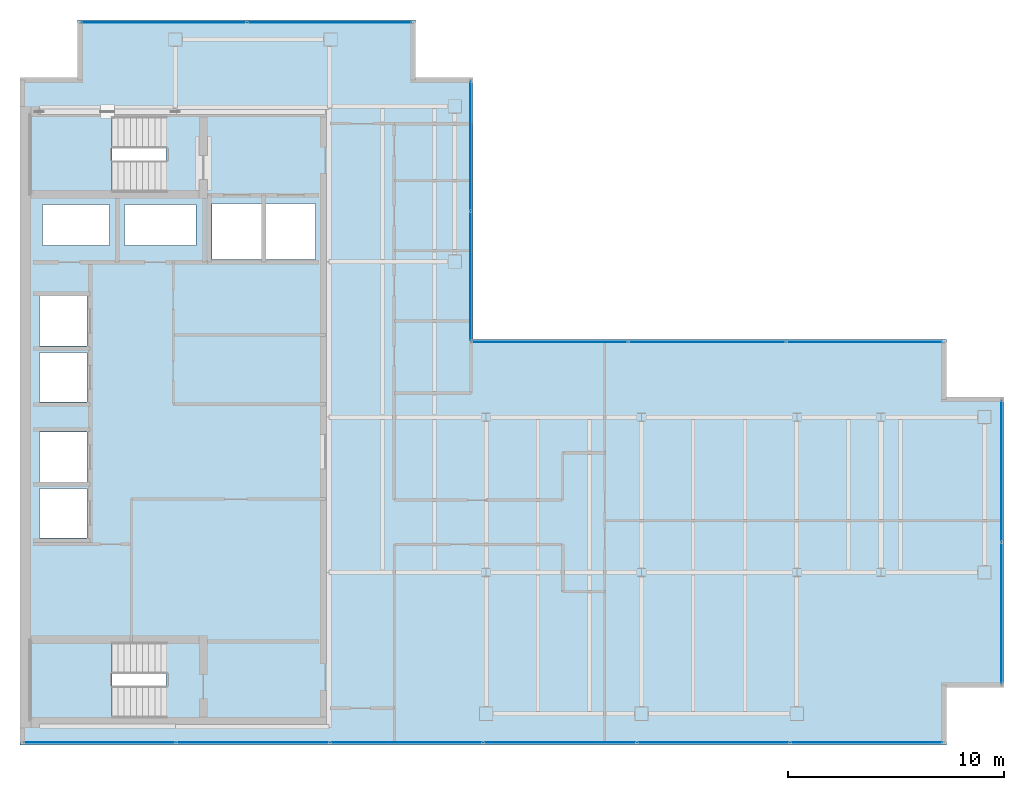
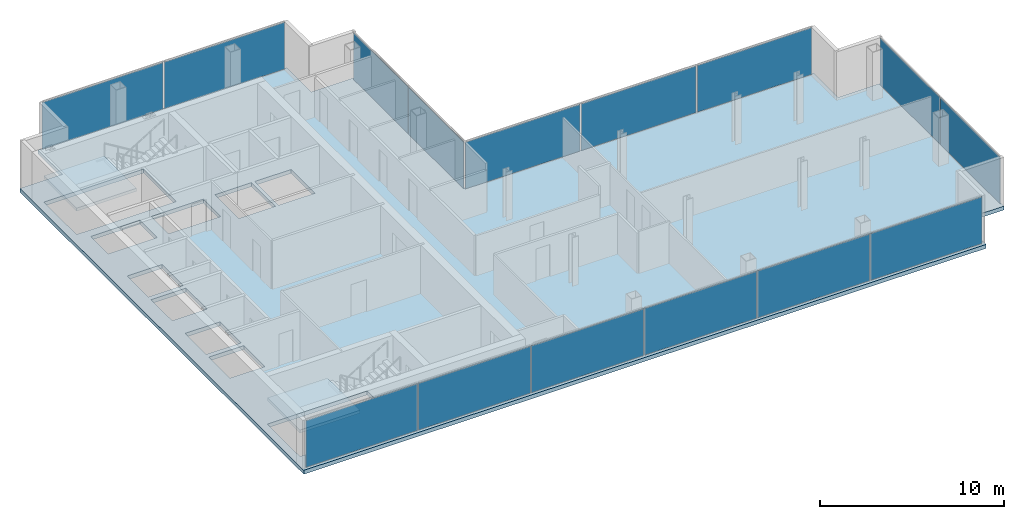
# One storey, part 19 of 23: 15 plates, 3 slabs, 10 openings, 7 elements without a shape of their own.
"""IFC4 building model written with IfcOpenShell, lengths in metres."""

import ifcopenshell
import ifcopenshell.guid

model = None  # the IFC model being written
_history = None  # IfcOwnerHistory: only IFC2X3 demands one
_inside = {}  # id of a spatial element -> (the spatial element, [elements in it])
_under = {}  # id of a project, library or spatial element -> (it, [spatial elements below it])
_declared = {}  # id of a project -> (the project, [libraries it declares])
_typed = {}  # id of a type object -> (the type object, [elements of that type])
_made_of = {}  # id of a material, layer set ... -> (it, [elements and type objects made of it])


def new_model(schema):
    """Start an empty IFC model of exactly this schema.

    Asked for "IFC4X3", IfcOpenShell would pick the latest addendum, in which some entities
    have other attributes; the version numbers below select the first issue.
    IFC2X3 requires an IfcOwnerHistory on every rooted entity: one is made here for all.
    """
    global model, _history
    if schema == "IFC4X3":
        model = ifcopenshell.file(schema_version=(4, 3, 0, 0))
    else:
        model = ifcopenshell.file(schema=schema)
    _inside.clear()
    _under.clear()
    _declared.clear()
    _typed.clear()
    _made_of.clear()
    _history = None
    if model.schema == "IFC2X3":
        org = make("IfcOrganization", Name="unknown")
        user = make(
            "IfcPersonAndOrganization",
            ThePerson=make("IfcPerson", FamilyName="unknown"),
            TheOrganization=org,
        )
        app = make(
            "IfcApplication",
            ApplicationDeveloper=org,
            Version="unknown",
            ApplicationFullName="unknown",
            ApplicationIdentifier="unknown",
        )
        _history = make(
            "IfcOwnerHistory",
            OwningUser=user,
            OwningApplication=app,
            ChangeAction="ADDED",
            CreationDate=0,
        )
    return model


def make(cls, **values):
    """One entity of the class cls with the attributes given. An attribute that is None is left unset."""
    return model.create_entity(
        cls, **{name: value for name, value in values.items() if value is not None}
    )


def rooted(cls, **values):
    """An entity with a GlobalId (a new one), such as an element, a storey or a relation."""
    return make(cls, GlobalId=ifcopenshell.guid.new(), OwnerHistory=_history, **values)


def si_unit(unit_type, name, prefix=None):
    """IfcSIUnit, for example si_unit("LENGTHUNIT", "METRE", prefix="MILLI")."""
    return make("IfcSIUnit", UnitType=unit_type, Prefix=prefix, Name=name)


def assignment(units):
    """IfcUnitAssignment: the units of a project."""
    return None if units is None else make("IfcUnitAssignment", Units=units)


def point(xyz):
    """IfcCartesianPoint."""
    return None if xyz is None else make("IfcCartesianPoint", Coordinates=xyz)


def direction(xyz):
    """IfcDirection."""
    return None if xyz is None else make("IfcDirection", DirectionRatios=xyz)


def frame(location, z_axis=None, x_axis=None):
    """IfcAxis2Placement3D, a coordinate frame: its origin and axes. An axis left out is left unset."""
    return make(
        "IfcAxis2Placement3D",
        Location=point(location),
        Axis=direction(z_axis),
        RefDirection=direction(x_axis),
    )


def frame_2d(location, x_axis=None):
    """IfcAxis2Placement2D, a coordinate frame in the plane: its origin and x axis."""
    return make(
        "IfcAxis2Placement2D", Location=point(location), RefDirection=direction(x_axis)
    )


def origin():
    """The frame at (0, 0, 0) with its axes left unset."""
    return frame((0.0, 0.0, 0.0))


def origin_2d():
    """The frame at (0, 0) in the plane with its x axis left unset."""
    return frame_2d((0.0, 0.0))


def place(relative_to, where):
    """IfcLocalPlacement: puts the frame where relative to a parent placement (None: the world)."""
    return make(
        "IfcLocalPlacement", PlacementRelTo=relative_to, RelativePlacement=where
    )


def context(
    kind, dimensions, precision=None, world=None, true_north=None, identifier=None
):
    """IfcGeometricRepresentationContext, for example the 3D "Model" context."""
    return make(
        "IfcGeometricRepresentationContext",
        ContextIdentifier=identifier,
        ContextType=kind,
        CoordinateSpaceDimension=dimensions,
        Precision=precision,
        WorldCoordinateSystem=world,
        TrueNorth=true_north,
    )


def subcontext(parent, identifier, kind, view, scale=None):
    """IfcGeometricRepresentationSubContext, for example "Body" below "Model"."""
    return make(
        "IfcGeometricRepresentationSubContext",
        ContextIdentifier=identifier,
        ContextType=kind,
        ParentContext=parent,
        TargetScale=scale,
        TargetView=view,
    )


def project(units=None, contexts=None):
    """IfcProject with its units and contexts."""
    return rooted(
        "IfcProject",
        Name="project",
        RepresentationContexts=contexts,
        UnitsInContext=assignment(units),
    )


def spatial(cls, under=None, at=None, **own):
    """A site, building, storey or space (cls), placed at a placement, below another one or the project."""
    s = rooted(cls, ObjectPlacement=at, **own)
    if under is not None:
        _under.setdefault(under.id(), (under, []))[1].append(s)
    return s


def polyline(points):
    """IfcPolyline through the points."""
    return make("IfcPolyline", Points=[point(p) for p in points])


def profile(cls, at=None, kind="AREA", **sizes):
    """A parametric profile (cls). Its sizes go by their IFC names, for example OverallWidth=200.0."""
    return make(cls, ProfileType=kind, Position=at, **sizes)


def rectangle(**sizes):
    """IfcRectangleProfileDef."""
    return profile("IfcRectangleProfileDef", **sizes)


def outline(outer, holes=None, kind="AREA"):
    """IfcArbitraryClosedProfileDef: a profile drawn as a closed curve; with holes, ...WithVoids."""
    if holes is None:
        return make("IfcArbitraryClosedProfileDef", ProfileType=kind, OuterCurve=outer)
    return make(
        "IfcArbitraryProfileDefWithVoids",
        ProfileType=kind,
        OuterCurve=outer,
        InnerCurves=holes,
    )


def extrude(swept, where, along, depth):
    """IfcExtrudedAreaSolid: the profile swept, set in the frame where, extruded along a direction by depth."""
    return make(
        "IfcExtrudedAreaSolid",
        SweptArea=swept,
        Position=where,
        ExtrudedDirection=direction(along),
        Depth=depth,
    )


def shape(context_of_items, identifier, shape_type, items):
    """IfcShapeRepresentation: the items that make up one representation, for example the "Body"."""
    return make(
        "IfcShapeRepresentation",
        ContextOfItems=context_of_items,
        RepresentationIdentifier=identifier,
        RepresentationType=shape_type,
        Items=items,
    )


def material(Name=None, Category=None):
    """IfcMaterial."""
    return make("IfcMaterial", Name=Name, Category=Category)


def layer(
    of_material, thickness, ventilated=None, Name=None, Category=None, Priority=None
):
    """IfcMaterialLayer: one layer of a wall or slab, of a material (None: an air gap)."""
    return make(
        "IfcMaterialLayer",
        Material=of_material,
        LayerThickness=thickness,
        IsVentilated=ventilated,
        Name=Name,
        Category=Category,
        Priority=Priority,
    )


def layer_set(layers, Name=None):
    """IfcMaterialLayerSet."""
    return make("IfcMaterialLayerSet", MaterialLayers=layers, LayerSetName=Name)


def made_of(thing, what):
    """Note that an element or type object is made of a material, layer set ...; save() writes the relation."""
    if what is not None:
        _made_of.setdefault(what.id(), (what, []))[1].append(thing)
    return thing


def type_object(cls, material=None, **own):
    """A type object (cls), such as IfcWallType, which elements share."""
    return made_of(rooted(cls, **own), material)


def element(
    cls,
    number,
    at=None,
    inside=None,
    cuts=None,
    type_object=None,
    material=None,
    context=None,
    identifier="Body",
    shape_type=None,
    held_by="IfcProductDefinitionShape",
    body=None,
    shapes=None,
    **own,
):
    """One element of the class cls, such as IfcWall. Its Tag is "e" and its number.

    at: its placement. inside: the storey or other place that contains it. cuts: it is an
    opening in that element (IfcRelVoidsElement). A single representation is given by context,
    identifier, shape_type and body (its items); several are given by shapes. held_by: the class
    of the entity that holds the representations. save() writes the other relations.
    """
    e = rooted(cls, Tag="e%d" % number, ObjectPlacement=at, **own)
    if body is not None:
        shapes = [shape(context, identifier, shape_type, body)]
    if shapes is not None:
        e.Representation = make(held_by, Representations=shapes)
    if inside is not None:
        _inside.setdefault(inside.id(), (inside, []))[1].append(e)
    if cuts is not None:
        rooted(
            "IfcRelVoidsElement", RelatingBuildingElement=cuts, RelatedOpeningElement=e
        )
    if type_object is not None:
        _typed.setdefault(type_object.id(), (type_object, []))[1].append(e)
    return made_of(e, material)


def aggregate(whole, parts):
    """IfcRelAggregates: a whole, such as a stair, and the parts it consists of."""
    return rooted("IfcRelAggregates", RelatingObject=whole, RelatedObjects=parts)


def save(model, path):
    """Write the relations noted so far, then the file.

    IfcRelAggregates (storeys below a building ...), IfcRelContainedInSpatialStructure (elements
    in a storey), IfcRelDefinesByType, IfcRelAssociatesMaterial and IfcRelDeclares: one each for
    every whole, place, type object, material and project.
    """
    for whole, parts in _under.values():
        aggregate(whole, parts)
    for where, things in _inside.values():
        rooted(
            "IfcRelContainedInSpatialStructure",
            RelatedElements=things,
            RelatingStructure=where,
        )
    for kind, things in _typed.values():
        rooted("IfcRelDefinesByType", RelatedObjects=things, RelatingType=kind)
    for what, things in _made_of.values():
        rooted("IfcRelAssociatesMaterial", RelatedObjects=things, RelatingMaterial=what)
    for by, libraries in _declared.values():
        rooted("IfcRelDeclares", RelatingContext=by, RelatedDefinitions=libraries)
    model.write(path)


model = new_model("IFC4")

# Units and contexts
model_context = context("Model", 3, precision=1e-05, world=origin(), true_north=direction((0.0, 1.0)))
body_context = subcontext(model_context, "Body", "Model", "MODEL_VIEW")
ifc_project = project(units=[si_unit("LENGTHUNIT", "METRE"), si_unit("AREAUNIT", "SQUARE_METRE"), si_unit("VOLUMEUNIT", "CUBIC_METRE"), si_unit("PLANEANGLEUNIT", "RADIAN"), si_unit("MASSUNIT", "GRAM", prefix="KILO")], contexts=[model_context])

# Site, building, storey
site_placement = place(None, origin())
site = spatial("IfcSite", under=ifc_project, at=site_placement, CompositionType="ELEMENT")
building_placement = place(site_placement, origin())
building = spatial("IfcBuilding", under=site, at=building_placement, Name="Cobrela Telecom Tower", CompositionType="ELEMENT")
storey_placement = place(building_placement, frame((0.0, 0.0, 283.14990234375)))
storey = spatial("IfcBuildingStorey", under=building, at=storey_placement, Name="L74", CompositionType="ELEMENT", Elevation=283.14990234375)

# Curtain wall, plates
ifc_material_1 = material(Name="Anodized Bronze Aluminium 6063-T6", Category="aluminium")
curtain_wall_type = type_object("IfcCurtainWallType", Name="CW-SYS-OFF-HI", PredefinedType="USERDEFINED", material=ifc_material_1)
curtain_wall_1_placement = place(storey_placement, origin())
curtain_wall_1 = element("IfcCurtainWall", 1, at=curtain_wall_1_placement, inside=storey, type_object=curtain_wall_type, Name="L74 Unitised Bronze Curtain Wall 05", ObjectType="UNITISED CURTAIN WALL", PredefinedType="USERDEFINED")
ifc_material_2 = material(Name="Solar-Control Bronze Low-E Glass", Category="glass")
ifc_layer_1 = layer(ifc_material_2, 0.030029296875)
ifc_layer_set_1 = layer_set([ifc_layer_1], Name="Solar-Control Bronze Low-E Glass")
plate_type = type_object("IfcPlateType", Name="CW-SYS-OFF-HI-PNL", PredefinedType="CURTAIN_PANEL", material=ifc_layer_set_1)
plate_1_placement = place(storey_placement, frame((6.66259765625, 39.8798828125, 0.06494140625), z_axis=(0.0, 0.0, 1.0), x_axis=(1.0, 0.0, 0.0)))
plate_1 = element("IfcPlate", 2, at=plate_1_placement, type_object=plate_type, Name="CW-OFF-HI panel 1.1", PredefinedType="CURTAIN_PANEL", context=body_context, shape_type="SweptSolid", body=[
    extrude(rectangle(XDim=7.60498046875, YDim=0.030029296875, at=origin_2d()), origin(), (0.0, 0.0, 1.0), 3.110107421875),
])
plate_2_placement = place(storey_placement, frame((14.33740234375, 39.8798828125, 0.06494140625), z_axis=(0.0, 0.0, 1.0), x_axis=(1.0, 0.0, 0.0)))
plate_2 = element("IfcPlate", 3, at=plate_2_placement, type_object=plate_type, Name="CW-OFF-HI panel 2.1", PredefinedType="CURTAIN_PANEL", context=body_context, shape_type="SweptSolid", body=[
    extrude(rectangle(XDim=7.60498046875, YDim=0.030029296875, at=origin_2d()), origin(), (0.0, 0.0, 1.0), 3.110107421875),
])
aggregate(curtain_wall_1, [plate_1, plate_2])

curtain_wall_2_placement = place(storey_placement, origin())
curtain_wall_2 = element("IfcCurtainWall", 4, at=curtain_wall_2_placement, inside=storey, type_object=curtain_wall_type, Name="L74 Unitised Bronze Curtain Wall 08", ObjectType="UNITISED CURTAIN WALL", PredefinedType="USERDEFINED")
plate_3_placement = place(storey_placement, frame((20.8798828125, 34.159912109375, 0.06494140625), z_axis=(0.0, 0.0, 1.0), x_axis=(0.0, -1.0, 0.0)))
plate_3 = element("IfcPlate", 5, at=plate_3_placement, type_object=plate_type, Name="CW-OFF-HI panel 1.1", PredefinedType="CURTAIN_PANEL", context=body_context, shape_type="SweptSolid", body=[
    extrude(rectangle(XDim=5.9599609375, YDim=0.030029296875, at=origin_2d()), origin(), (0.0, 0.0, 1.0), 3.110107421875),
])
plate_4_placement = place(storey_placement, frame((20.8798828125, 28.1298828125, 0.06494140625), z_axis=(0.0, 0.0, 1.0), x_axis=(0.0, -1.0, 0.0)))
plate_4 = element("IfcPlate", 6, at=plate_4_placement, type_object=plate_type, Name="CW-OFF-HI panel 2.1", PredefinedType="CURTAIN_PANEL", context=body_context, shape_type="SweptSolid", body=[
    extrude(rectangle(XDim=5.9599609375, YDim=0.030029296875, at=origin_2d()), origin(), (0.0, 0.0, 1.0), 3.110107421875),
])
aggregate(curtain_wall_2, [plate_3, plate_4])

curtain_wall_3_placement = place(storey_placement, origin())
curtain_wall_3 = element("IfcCurtainWall", 7, at=curtain_wall_3_placement, inside=storey, type_object=curtain_wall_type, Name="L74 Unitised Bronze Curtain Wall 09", ObjectType="UNITISED CURTAIN WALL", PredefinedType="USERDEFINED")
plate_5_placement = place(storey_placement, frame((24.552490234375, 25.080078125, 0.06494140625), z_axis=(0.0, 0.0, 1.0), x_axis=(1.0, 0.0, 0.0)))
plate_5 = element("IfcPlate", 8, at=plate_5_placement, type_object=plate_type, Name="CW-OFF-HI panel 1.1", PredefinedType="CURTAIN_PANEL", context=body_context, shape_type="SweptSolid", body=[
    extrude(rectangle(XDim=7.205078125, YDim=0.030029296875, at=origin_2d()), origin(), (0.0, 0.0, 1.0), 3.110107421875),
])
plate_6_placement = place(storey_placement, frame((31.844970703125, 25.080078125, 0.06494140625), z_axis=(0.0, 0.0, 1.0), x_axis=(1.0, 0.0, 0.0)))
plate_6 = element("IfcPlate", 9, at=plate_6_placement, type_object=plate_type, Name="CW-OFF-HI panel 2.1", PredefinedType="CURTAIN_PANEL", context=body_context, shape_type="SweptSolid", body=[
    extrude(rectangle(XDim=7.239990234375, YDim=0.030029296875, at=origin_2d()), origin(), (0.0, 0.0, 1.0), 3.110107421875),
])
plate_7_placement = place(storey_placement, frame((39.137451171875, 25.080078125, 0.06494140625), z_axis=(0.0, 0.0, 1.0), x_axis=(1.0, 0.0, 0.0)))
plate_7 = element("IfcPlate", 10, at=plate_7_placement, type_object=plate_type, Name="CW-OFF-HI panel 3.1", PredefinedType="CURTAIN_PANEL", context=body_context, shape_type="SweptSolid", body=[
    extrude(rectangle(XDim=7.205078125, YDim=0.030029296875, at=origin_2d()), origin(), (0.0, 0.0, 1.0), 3.110107421875),
])
aggregate(curtain_wall_3, [plate_5, plate_6, plate_7])

curtain_wall_4_placement = place(storey_placement, origin())
curtain_wall_4 = element("IfcCurtainWall", 11, at=curtain_wall_4_placement, inside=storey, type_object=curtain_wall_type, Name="L74 Unitised Bronze Curtain Wall 12", ObjectType="UNITISED CURTAIN WALL", PredefinedType="USERDEFINED")
plate_8_placement = place(storey_placement, frame((45.47998046875, 19.08740234375, 0.06494140625), z_axis=(0.0, 0.0, 1.0), x_axis=(0.0, -1.0, 0.0)))
plate_8 = element("IfcPlate", 12, at=plate_8_placement, type_object=plate_type, Name="CW-OFF-HI panel 1.1", PredefinedType="CURTAIN_PANEL", context=body_context, shape_type="SweptSolid", body=[
    extrude(rectangle(XDim=6.5048828125, YDim=0.030029296875, at=origin_2d()), origin(), (0.0, 0.0, 1.0), 3.110107421875),
])
plate_9_placement = place(storey_placement, frame((45.47998046875, 12.512451171875, 0.06494140625), z_axis=(0.0, 0.0, 1.0), x_axis=(0.0, -1.0, 0.0)))
plate_9 = element("IfcPlate", 13, at=plate_9_placement, type_object=plate_type, Name="CW-OFF-HI panel 2.1", PredefinedType="CURTAIN_PANEL", context=body_context, shape_type="SweptSolid", body=[
    extrude(rectangle(XDim=6.5048828125, YDim=0.030029296875, at=origin_2d()), origin(), (0.0, 0.0, 1.0), 3.110107421875),
])
aggregate(curtain_wall_4, [plate_8, plate_9])

curtain_wall_5_placement = place(storey_placement, origin())
curtain_wall_5 = element("IfcCurtainWall", 14, at=curtain_wall_5_placement, inside=storey, type_object=curtain_wall_type, Name="L74 Unitised Bronze Curtain Wall 15", ObjectType="UNITISED CURTAIN WALL", PredefinedType="USERDEFINED")
plate_10_placement = place(storey_placement, frame((39.235107421875, 6.52001953125, 0.06494140625), z_axis=(0.0, 0.0, 1.0), x_axis=(-1.0, 0.0, 0.0)))
plate_10 = element("IfcPlate", 15, at=plate_10_placement, type_object=plate_type, Name="CW-OFF-HI panel 1.1", PredefinedType="CURTAIN_PANEL", context=body_context, shape_type="SweptSolid", body=[
    extrude(rectangle(XDim=7.010009765625, YDim=0.030029296875, at=origin_2d()), origin(), (0.0, 0.0, 1.0), 3.110107421875),
])
plate_11_placement = place(storey_placement, frame((32.137451171875, 6.52001953125, 0.06494140625), z_axis=(0.0, 0.0, 1.0), x_axis=(-1.0, 0.0, 0.0)))
plate_11 = element("IfcPlate", 16, at=plate_11_placement, type_object=plate_type, Name="CW-OFF-HI panel 2.1", PredefinedType="CURTAIN_PANEL", context=body_context, shape_type="SweptSolid", body=[
    extrude(rectangle(XDim=7.044921875, YDim=0.030029296875, at=origin_2d()), origin(), (0.0, 0.0, 1.0), 3.110107421875),
])
plate_12_placement = place(storey_placement, frame((25.0224609375, 6.52001953125, 0.06494140625), z_axis=(0.0, 0.0, 1.0), x_axis=(-1.0, 0.0, 0.0)))
plate_12 = element("IfcPlate", 17, at=plate_12_placement, type_object=plate_type, Name="CW-OFF-HI panel 3.1", PredefinedType="CURTAIN_PANEL", context=body_context, shape_type="SweptSolid", body=[
    extrude(rectangle(XDim=7.044921875, YDim=0.030029296875, at=origin_2d()), origin(), (0.0, 0.0, 1.0), 3.110107421875),
])
plate_13_placement = place(storey_placement, frame((17.907470703125, 6.52001953125, 0.06494140625), z_axis=(0.0, 0.0, 1.0), x_axis=(-1.0, 0.0, 0.0)))
plate_13 = element("IfcPlate", 18, at=plate_13_placement, type_object=plate_type, Name="CW-OFF-HI panel 4.1", PredefinedType="CURTAIN_PANEL", context=body_context, shape_type="SweptSolid", body=[
    extrude(rectangle(XDim=7.044921875, YDim=0.030029296875, at=origin_2d()), origin(), (0.0, 0.0, 1.0), 3.110107421875),
])
plate_14_placement = place(storey_placement, frame((10.79248046875, 6.52001953125, 0.06494140625), z_axis=(0.0, 0.0, 1.0), x_axis=(-1.0, 0.0, 0.0)))
plate_14 = element("IfcPlate", 19, at=plate_14_placement, type_object=plate_type, Name="CW-OFF-HI panel 5.1", PredefinedType="CURTAIN_PANEL", context=body_context, shape_type="SweptSolid", body=[
    extrude(rectangle(XDim=7.044921875, YDim=0.030029296875, at=origin_2d()), origin(), (0.0, 0.0, 1.0), 3.110107421875),
])
plate_15_placement = place(storey_placement, frame((3.695068359375, 6.52001953125, 0.06494140625), z_axis=(0.0, 0.0, 1.0), x_axis=(-1.0, 0.0, 0.0)))
plate_15 = element("IfcPlate", 20, at=plate_15_placement, type_object=plate_type, Name="CW-OFF-HI panel 6.1", PredefinedType="CURTAIN_PANEL", context=body_context, shape_type="SweptSolid", body=[
    extrude(rectangle(XDim=7.010009765625, YDim=0.030029296875, at=origin_2d()), origin(), (0.0, 0.0, 1.0), 3.110107421875),
])
aggregate(curtain_wall_5, [plate_10, plate_11, plate_12, plate_13, plate_14, plate_15])

# Slab, openings
ifc_material_3 = material(Name="Concrete C40/50", Category="concrete")
ifc_layer_2 = layer(ifc_material_3, 0.260009765625)
ifc_layer_set_2 = layer_set([ifc_layer_2], Name="Concrete C40/50")
slab_type_1 = type_object("IfcSlabType", Name="SLAB-FLR-260", PredefinedType="FLOOR", material=ifc_layer_set_2)
slab_1_placement = place(storey_placement, frame((0.0, 0.0, -0.260009765625)))
slab_1 = element("IfcSlab", 21, at=slab_1_placement, inside=storey, type_object=slab_type_1, Name="L74 Structural Floor Slab", PredefinedType="FLOOR", context=body_context, shape_type="SweptSolid", body=[
    extrude(outline(polyline([(0.0, 6.39990234375), (42.929931640625, 6.39990234375), (42.929931640625, 9.070068359375), (45.60009765625, 9.070068359375), (45.60009765625, 22.530029296875), (42.929931640625, 22.530029296875), (42.929931640625, 25.199951171875), (21.0, 25.199951171875), (21.0, 37.330078125), (18.330078125, 37.330078125), (18.330078125, 40.0), (2.669921875, 40.0), (2.669921875, 37.330078125), (0.0, 37.330078125), (0.0, 6.39990234375)])), origin(), (0.0, 0.0, 1.0), 0.260009765625),
])
opening_1_placement = place(slab_1_placement, frame((0.0, 0.0, -0.02001953125)))
element("IfcOpeningElement", 22, at=opening_1_placement, cuts=slab_1, Name="Slab Shaft Opening SLAB-L74-MAIN.1", PredefinedType="OPENING", context=body_context, shape_type="SweptSolid", body=[
    extrude(outline(polyline([(8.89990234375, 28.89990234375), (11.199951171875, 28.89990234375), (11.199951171875, 31.5), (8.89990234375, 31.5), (8.89990234375, 28.89990234375)])), origin(), (0.0, 0.0, 1.0), 0.300048828125),
])
opening_2_placement = place(slab_1_placement, frame((0.0, 0.0, -0.02001953125)))
element("IfcOpeningElement", 23, at=opening_2_placement, cuts=slab_1, Name="Slab Shaft Opening SLAB-L74-MAIN.2", PredefinedType="OPENING", context=body_context, shape_type="SweptSolid", body=[
    extrude(outline(polyline([(11.39990234375, 28.89990234375), (13.699951171875, 28.89990234375), (13.699951171875, 31.5), (11.39990234375, 31.5), (11.39990234375, 28.89990234375)])), origin(), (0.0, 0.0, 1.0), 0.300048828125),
])
opening_3_placement = place(slab_1_placement, frame((0.0, 0.0, -0.02001953125)))
element("IfcOpeningElement", 24, at=opening_3_placement, cuts=slab_1, Name="Slab Shaft Opening SLAB-L74-MAIN.3", PredefinedType="OPENING", context=body_context, shape_type="SweptSolid", body=[
    extrude(outline(polyline([(0.89990234375, 16.0), (3.10009765625, 16.0), (3.10009765625, 18.300048828125), (0.89990234375, 18.300048828125), (0.89990234375, 16.0)])), origin(), (0.0, 0.0, 1.0), 0.300048828125),
])
opening_4_placement = place(slab_1_placement, frame((0.0, 0.0, -0.02001953125)))
element("IfcOpeningElement", 25, at=opening_4_placement, cuts=slab_1, Name="Slab Shaft Opening SLAB-L74-MAIN.4", PredefinedType="OPENING", context=body_context, shape_type="SweptSolid", body=[
    extrude(outline(polyline([(0.89990234375, 18.60009765625), (3.10009765625, 18.60009765625), (3.10009765625, 20.89990234375), (0.89990234375, 20.89990234375), (0.89990234375, 18.60009765625)])), origin(), (0.0, 0.0, 1.0), 0.300048828125),
])
opening_5_placement = place(slab_1_placement, frame((0.0, 0.0, -0.02001953125)))
element("IfcOpeningElement", 26, at=opening_5_placement, cuts=slab_1, Name="Slab Shaft Opening SLAB-L74-MAIN.5", PredefinedType="OPENING", context=body_context, shape_type="SweptSolid", body=[
    extrude(outline(polyline([(0.89990234375, 22.300048828125), (3.10009765625, 22.300048828125), (3.10009765625, 24.60009765625), (0.89990234375, 24.60009765625), (0.89990234375, 22.300048828125)])), origin(), (0.0, 0.0, 1.0), 0.300048828125),
])
opening_6_placement = place(slab_1_placement, frame((0.0, 0.0, -0.02001953125)))
element("IfcOpeningElement", 27, at=opening_6_placement, cuts=slab_1, Name="Slab Shaft Opening SLAB-L74-MAIN.6", PredefinedType="OPENING", context=body_context, shape_type="SweptSolid", body=[
    extrude(outline(polyline([(0.89990234375, 24.89990234375), (3.10009765625, 24.89990234375), (3.10009765625, 27.199951171875), (0.89990234375, 27.199951171875), (0.89990234375, 24.89990234375)])), origin(), (0.0, 0.0, 1.0), 0.300048828125),
])
opening_7_placement = place(slab_1_placement, frame((0.0, 0.0, -0.02001953125)))
element("IfcOpeningElement", 28, at=opening_7_placement, cuts=slab_1, Name="Slab Shaft Opening SLAB-L74-MAIN.7", PredefinedType="OPENING", context=body_context, shape_type="SweptSolid", body=[
    extrude(outline(polyline([(1.050048828125, 29.550048828125), (4.14990234375, 29.550048828125), (4.14990234375, 31.449951171875), (1.050048828125, 31.449951171875), (1.050048828125, 29.550048828125)])), origin(), (0.0, 0.0, 1.0), 0.300048828125),
])
opening_8_placement = place(slab_1_placement, frame((0.0, 0.0, -0.02001953125)))
element("IfcOpeningElement", 29, at=opening_8_placement, cuts=slab_1, Name="Slab Shaft Opening SLAB-L74-MAIN.8", PredefinedType="OPENING", context=body_context, shape_type="SweptSolid", body=[
    extrude(outline(polyline([(4.85009765625, 29.550048828125), (8.14990234375, 29.550048828125), (8.14990234375, 31.449951171875), (4.85009765625, 31.449951171875), (4.85009765625, 29.550048828125)])), origin(), (0.0, 0.0, 1.0), 0.300048828125),
])
opening_9_placement = place(slab_1_placement, frame((0.0, 0.0, -0.02001953125)))
element("IfcOpeningElement", 30, at=opening_9_placement, cuts=slab_1, Name="Slab Shaft Opening SLAB-L74-MAIN.9", PredefinedType="OPENING", context=body_context, shape_type="SweptSolid", body=[
    extrude(outline(polyline([(6.7548828125, 35.550048828125), (0.47998046875, 35.550048828125), (0.47998046875, 32.0), (6.7548828125, 32.0), (6.7548828125, 35.550048828125)])), origin(), (0.0, 0.0, 1.0), 0.300048828125),
])
opening_10_placement = place(slab_1_placement, frame((0.0, 0.0, -0.02001953125)))
element("IfcOpeningElement", 31, at=opening_10_placement, cuts=slab_1, Name="Slab Shaft Opening SLAB-L74-MAIN.10", PredefinedType="OPENING", context=body_context, shape_type="SweptSolid", body=[
    extrude(outline(polyline([(6.7548828125, 11.199951171875), (0.47998046875, 11.199951171875), (0.47998046875, 7.64990234375), (6.7548828125, 7.64990234375), (6.7548828125, 11.199951171875)])), origin(), (0.0, 0.0, 1.0), 0.300048828125),
])

# Stair, slab
stair_type = type_object("IfcStairType", Name="STAIR-CORE", PredefinedType="HALF_TURN_STAIR", material=ifc_material_3)
stair_1_placement = place(storey_placement, origin())
stair_1 = element("IfcStair", 32, at=stair_1_placement, inside=storey, type_object=stair_type, Name="L74 Smokeproof Exit Stair ST1", PredefinedType="HALF_TURN_STAIR")
ifc_layer_3 = layer(ifc_material_3, 0.199951171875)
ifc_layer_set_3 = layer_set([ifc_layer_3], Name="Concrete C40/50")
slab_type_2 = type_object("IfcSlabType", Name="SLAB-LAND-200", PredefinedType="LANDING", material=ifc_layer_set_3)
slab_2_placement = place(storey_placement, frame((0.0, 0.0, 1.550048828125)))
slab_2 = element("IfcSlab", 33, at=slab_2_placement, type_object=slab_type_2, Name="ST1 landing 1", PredefinedType="LANDING", context=body_context, shape_type="SweptSolid", body=[
    extrude(outline(polyline([(4.2548828125, 35.550048828125), (0.47998046875, 35.550048828125), (0.47998046875, 32.0), (4.2548828125, 32.0), (4.2548828125, 35.550048828125)])), origin(), (0.0, 0.0, 1.0), 0.199951171875),
])
aggregate(stair_1, [slab_2])

stair_2_placement = place(storey_placement, origin())
stair_2 = element("IfcStair", 34, at=stair_2_placement, inside=storey, type_object=stair_type, Name="L74 Smokeproof Exit Stair ST2", PredefinedType="HALF_TURN_STAIR")
slab_3_placement = place(storey_placement, frame((0.0, 0.0, 1.550048828125)))
slab_3 = element("IfcSlab", 35, at=slab_3_placement, type_object=slab_type_2, Name="ST2 landing 1", PredefinedType="LANDING", context=body_context, shape_type="SweptSolid", body=[
    extrude(outline(polyline([(4.2548828125, 11.199951171875), (0.47998046875, 11.199951171875), (0.47998046875, 7.64990234375), (4.2548828125, 7.64990234375), (4.2548828125, 11.199951171875)])), origin(), (0.0, 0.0, 1.0), 0.199951171875),
])
aggregate(stair_2, [slab_3])

save(model, "model.ifc")
